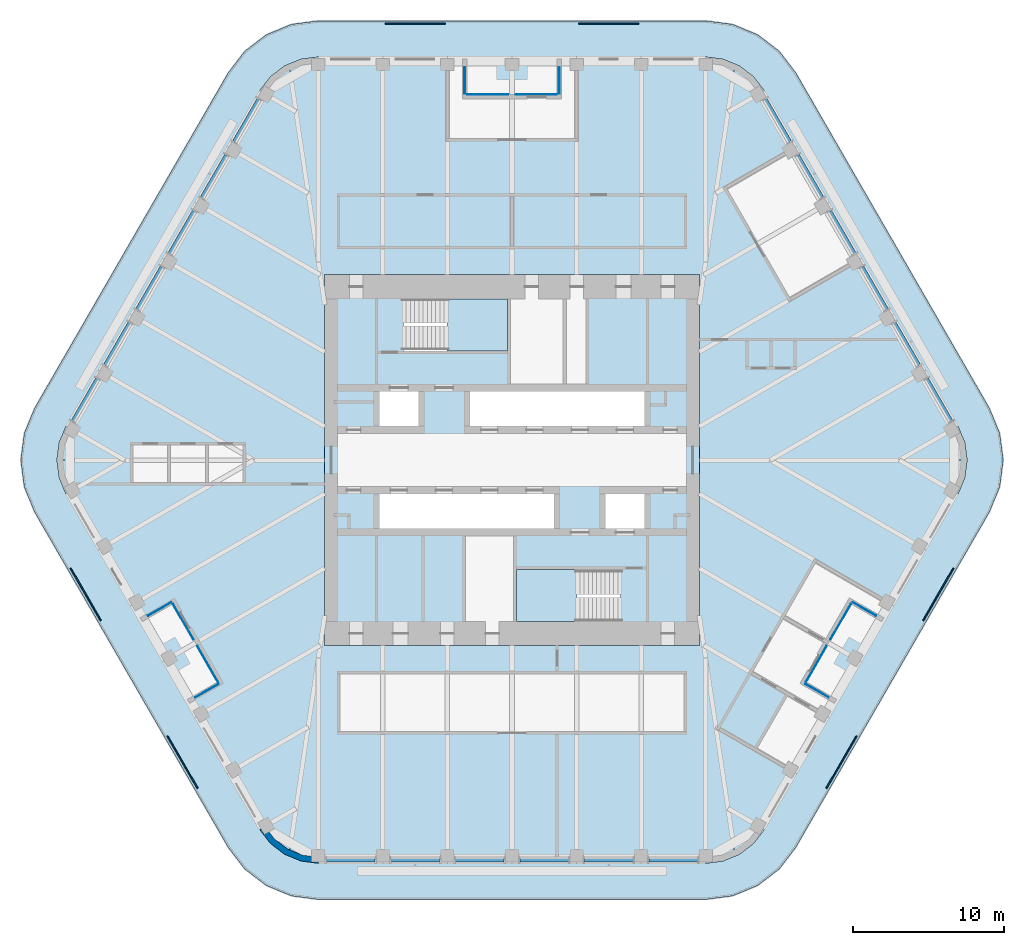
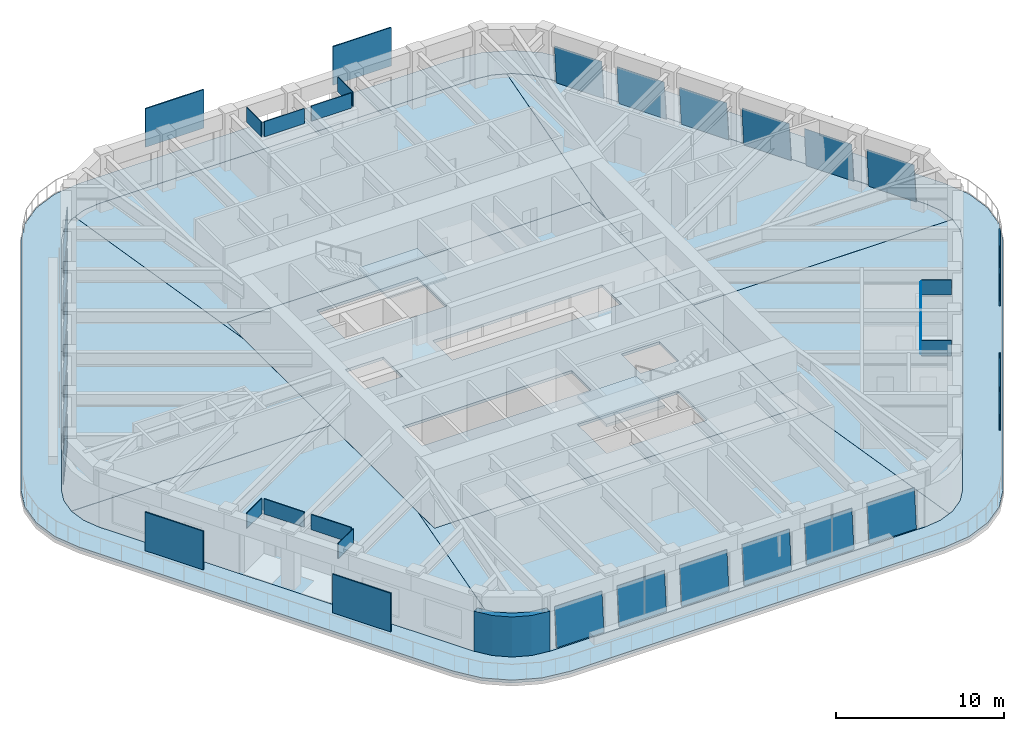
# One storey, part 12 of 19: 36 plates, 10 slabs, 1 wall, 20 elements without a shape of their own.
"""IFC4 building model written with IfcOpenShell, lengths in metres."""

from ifc_helpers import new_model, si_unit, direction, frame, origin, origin_2d, place, context, subcontext, project, spatial, polyline, rectangle, outline, extrude, material, layer, layer_set, type_object, element, aggregate, save


model = new_model("IFC4")

# Units and contexts
model_context = context("Model", 3, precision=1e-05, world=origin(), true_north=direction((0.0, 1.0)))
body_context = subcontext(model_context, "Body", "Model", "MODEL_VIEW")
ifc_project = project(units=[si_unit("LENGTHUNIT", "METRE"), si_unit("AREAUNIT", "SQUARE_METRE"), si_unit("VOLUMEUNIT", "CUBIC_METRE"), si_unit("PLANEANGLEUNIT", "RADIAN"), si_unit("MASSUNIT", "GRAM", prefix="KILO")], contexts=[model_context])

# Site, building, storey
site_placement = place(None, origin())
site = spatial("IfcSite", under=ifc_project, at=site_placement, CompositionType="ELEMENT")
building_placement = place(site_placement, origin())
building = spatial("IfcBuilding", under=site, at=building_placement, Name="Tarfa Lantern Tower", CompositionType="ELEMENT")
storey_placement = place(building_placement, frame((0.0, 0.0, 353.5)))
storey = spatial("IfcBuildingStorey", under=building, at=storey_placement, Name="L80", CompositionType="ELEMENT", Elevation=353.5)

# Slab
ifc_material_1 = material(Name="Concrete C40/50", Category="concrete")
ifc_layer_1 = layer(ifc_material_1, 0.199951171875)
ifc_layer_set_1 = layer_set([ifc_layer_1], Name="BS2 BALCONY SLAB 200")
slab_type_1 = type_object("IfcSlabType", Name="BS2 BALCONY SLAB 200", PredefinedType="FLOOR", material=ifc_layer_set_1)
slab_1_placement = place(storey_placement, frame((0.0, 0.0, -0.199951171875)))
element("IfcSlab", 1, at=slab_1_placement, inside=storey, type_object=slab_type_1, Name="Balcony L80", PredefinedType="FLOOR", context=body_context, shape_type="SweptSolid", body=[
    extrude(outline(polyline([(31.667724609375, 3.449951171875), (18.821533203125, 25.699951171875), (17.72509765625, 27.129150390625), (16.296142578125, 28.2255859375), (14.6318359375, 28.914794921875), (12.845947265625, 29.14990234375), (-12.845947265625, 29.14990234375), (-14.6318359375, 28.914794921875), (-16.296142578125, 28.2255859375), (-17.72509765625, 27.129150390625), (-18.821533203125, 25.699951171875), (-31.667724609375, 3.449951171875), (-32.35693359375, 1.785888671875), (-32.592041015625, 0.0), (-32.35693359375, -1.785888671875), (-31.667724609375, -3.449951171875), (-18.821533203125, -25.699951171875), (-17.72509765625, -27.129150390625), (-16.296142578125, -28.2255859375), (-14.6318359375, -28.914794921875), (-12.845947265625, -29.14990234375), (12.845947265625, -29.14990234375), (14.6318359375, -28.914794921875), (16.296142578125, -28.2255859375), (17.72509765625, -27.129150390625), (18.821533203125, -25.699951171875), (31.667724609375, -3.449951171875), (32.35693359375, -1.785888671875), (32.592041015625, 0.0), (32.35693359375, 1.785888671875), (31.667724609375, 3.449951171875)]), holes=[polyline([(29.589111328125, 2.25), (16.7431640625, 24.5), (16.028076171875, 25.431884765625), (15.095947265625, 26.147216796875), (14.0107421875, 26.5966796875), (12.845947265625, 26.75), (-12.845947265625, 26.75), (-14.0107421875, 26.5966796875), (-15.095947265625, 26.147216796875), (-16.028076171875, 25.431884765625), (-16.7431640625, 24.5), (-29.589111328125, 2.25), (-30.038818359375, 1.164794921875), (-30.192138671875, 0.0), (-30.038818359375, -1.164794921875), (-29.589111328125, -2.25), (-16.7431640625, -24.5), (-16.028076171875, -25.431884765625), (-15.095947265625, -26.147216796875), (-14.0107421875, -26.5966796875), (-12.845947265625, -26.75), (12.845947265625, -26.75), (14.0107421875, -26.5966796875), (15.095947265625, -26.147216796875), (16.028076171875, -25.431884765625), (16.7431640625, -24.5), (29.589111328125, -2.25), (30.038818359375, -1.164794921875), (30.192138671875, 0.0), (30.038818359375, 1.164794921875), (29.589111328125, 2.25)])]), origin(), (0.0, 0.0, 1.0), 0.199951171875),
])

# Curtain wall, plate
ifc_material_2 = material(Name="Aluminium framed curtain wall", Category="aluminium")
curtain_wall_type = type_object("IfcCurtainWallType", Name="CW4 CANTED GLAZING EXECUTIVE ZONE 2900", PredefinedType="USERDEFINED", material=ifc_material_2)
curtain_wall_1_placement = place(storey_placement, origin())
curtain_wall_1 = element("IfcCurtainWall", 2, at=curtain_wall_1_placement, inside=storey, type_object=curtain_wall_type, Name="CW4 NE L80", ObjectType="CURTAIN WALL", PredefinedType="USERDEFINED")
ifc_material_3 = material(Name="Laminated double glazing", Category="glass")
ifc_layer_2 = layer(ifc_material_3, 0.028076171875)
ifc_layer_set_2 = layer_set([ifc_layer_2], Name="CWP1 DOUBLE GLAZED PANEL")
plate_type_1 = type_object("IfcPlateType", Name="CWP1 DOUBLE GLAZED PANEL", PredefinedType="CURTAIN_PANEL", material=ifc_layer_set_2)
plate_1_placement = place(storey_placement, frame((29.2451171875, 2.64599609375, 0.0), z_axis=(0.862825639539, 0.498150817852, 0.085893413177), x_axis=(-0.499998527034, 0.866026254198, -1.606095e-06)))
plate_1 = element("IfcPlate", 3, at=plate_1_placement, type_object=plate_type_1, Name="CW4 panel 1.1", PredefinedType="CURTAIN_PANEL", context=body_context, shape_type="SweptSolid", body=[
    extrude(outline(polyline([(0.0, 0.0), (3.2520676412308207, 1.3877787807814457e-17), (3.251970209495446, 2.8454821182411227), (0.00011400045559208601, 2.845471633574548), (0.0, 0.0)])), origin(), (0.0, 0.0, -1.0), 0.028076171875),
])
aggregate(curtain_wall_1, [plate_1])

curtain_wall_2_placement = place(storey_placement, origin())
curtain_wall_2 = element("IfcCurtainWall", 4, at=curtain_wall_2_placement, inside=storey, type_object=curtain_wall_type, Name="CW4 NE L80", ObjectType="CURTAIN WALL", PredefinedType="USERDEFINED")
plate_2_placement = place(storey_placement, frame((27.10400390625, 6.354248046875, 0.0), z_axis=(0.862836578146, 0.498135541821, 0.085872122301), x_axis=(-0.499982393232, 0.866035568818, 0.0)))
plate_2 = element("IfcPlate", 5, at=plate_2_placement, type_object=plate_type_1, Name="CW4 panel 1.1", PredefinedType="CURTAIN_PANEL", context=body_context, shape_type="SweptSolid", body=[
    extrude(outline(polyline([(0.0, 0.0), (3.252067641799349, -1.3877787807814457e-17), (3.2521816433919786, 2.8454716342242685), (0.00011400159262917042, 2.8454716342242685), (0.0, 0.0)])), origin(), (0.0, 0.0, -1.0), 0.028076171875),
])
aggregate(curtain_wall_2, [plate_2])

curtain_wall_3_placement = place(storey_placement, origin())
curtain_wall_3 = element("IfcCurtainWall", 6, at=curtain_wall_3_placement, inside=storey, type_object=curtain_wall_type, Name="CW4 NE L80", ObjectType="CURTAIN WALL", PredefinedType="USERDEFINED")
plate_3_placement = place(storey_placement, frame((24.963134765625, 10.062744140625, 0.0), z_axis=(0.862825639539, 0.498150817852, 0.085893413177), x_axis=(-0.49999876687, 0.86602611573, 1.606199e-06)))
plate_3 = element("IfcPlate", 7, at=plate_3_placement, type_object=plate_type_1, Name="CW4 panel 1.1", PredefinedType="CURTAIN_PANEL", context=body_context, shape_type="SweptSolid", body=[
    extrude(outline(polyline([(0.0, 0.0), (3.2518562090567564, 1.3877787807814457e-17), (3.251979383909802, 2.8454716331921968), (-8.825730411465393e-05, 2.845482118540473), (0.0, 0.0)])), origin(), (0.0, 0.0, -1.0), 0.028076171875),
])
aggregate(curtain_wall_3, [plate_3])

curtain_wall_4_placement = place(storey_placement, origin())
curtain_wall_4 = element("IfcCurtainWall", 8, at=curtain_wall_4_placement, inside=storey, type_object=curtain_wall_type, Name="CW4 NE L80", ObjectType="CURTAIN WALL", PredefinedType="USERDEFINED")
plate_4_placement = place(storey_placement, frame((22.822021484375, 13.77099609375, 0.0), z_axis=(0.862825639539, 0.498150817852, 0.085893413177), x_axis=(-0.499998527034, 0.866026254198, -1.606095e-06)))
plate_4 = element("IfcPlate", 9, at=plate_4_placement, type_object=plate_type_1, Name="CW4 panel 1.1", PredefinedType="CURTAIN_PANEL", context=body_context, shape_type="SweptSolid", body=[
    extrude(outline(polyline([(0.0, 0.0), (3.2520676412308207, 1.3877787807814457e-17), (3.251970209495446, 2.8454821182411227), (0.00011400045559208601, 2.845471633574548), (0.0, 0.0)])), origin(), (0.0, 0.0, -1.0), 0.028076171875),
])
aggregate(curtain_wall_4, [plate_4])

curtain_wall_5_placement = place(storey_placement, origin())
curtain_wall_5 = element("IfcCurtainWall", 10, at=curtain_wall_5_placement, inside=storey, type_object=curtain_wall_type, Name="CW4 NE L80", ObjectType="CURTAIN WALL", PredefinedType="USERDEFINED")
plate_5_placement = place(storey_placement, frame((20.68115234375, 17.479248046875, 0.0), z_axis=(0.862836578146, 0.498135541821, 0.085872122301), x_axis=(-0.499982393232, 0.866035568818, 0.0)))
plate_5 = element("IfcPlate", 11, at=plate_5_placement, type_object=plate_type_1, Name="CW4 panel 1.1", PredefinedType="CURTAIN_PANEL", context=body_context, shape_type="SweptSolid", body=[
    extrude(outline(polyline([(0.0, 0.0), (3.252067641799349, -1.3877787807814457e-17), (3.2521816433919786, 2.8454716342242685), (0.00011400159262917042, 2.8454716342242685), (0.0, 0.0)])), origin(), (0.0, 0.0, -1.0), 0.028076171875),
])
aggregate(curtain_wall_5, [plate_5])

curtain_wall_6_placement = place(storey_placement, origin())
curtain_wall_6 = element("IfcCurtainWall", 12, at=curtain_wall_6_placement, inside=storey, type_object=curtain_wall_type, Name="CW4 NE L80", ObjectType="CURTAIN WALL", PredefinedType="USERDEFINED")
plate_6_placement = place(storey_placement, frame((18.5400390625, 21.187744140625, 0.0), z_axis=(0.862825639539, 0.498150817852, 0.085893413177), x_axis=(-0.49999876687, 0.86602611573, 1.606199e-06)))
plate_6 = element("IfcPlate", 13, at=plate_6_placement, type_object=plate_type_1, Name="CW4 panel 1.1", PredefinedType="CURTAIN_PANEL", context=body_context, shape_type="SweptSolid", body=[
    extrude(outline(polyline([(0.0, 0.0), (3.2518562090567564, 1.3877787807814457e-17), (3.251979383909802, 2.8454716331921968), (-8.825730411465393e-05, 2.845482118540473), (0.0, 0.0)])), origin(), (0.0, 0.0, -1.0), 0.028076171875),
])
aggregate(curtain_wall_6, [plate_6])

curtain_wall_7_placement = place(storey_placement, origin())
curtain_wall_7 = element("IfcCurtainWall", 14, at=curtain_wall_7_placement, inside=storey, type_object=curtain_wall_type, Name="CW4 NW L80", ObjectType="CURTAIN WALL", PredefinedType="USERDEFINED")
plate_7_placement = place(storey_placement, frame((-16.9140625, 24.00390625, 0.0), z_axis=(-0.862825639539, 0.498150817852, 0.085893413177), x_axis=(-0.49999876687, -0.86602611573, -1.606199e-06)))
plate_7 = element("IfcPlate", 15, at=plate_7_placement, type_object=plate_type_1, Name="CW4 panel 1.1", PredefinedType="CURTAIN_PANEL", context=body_context, shape_type="SweptSolid", body=[
    extrude(outline(polyline([(0.0, 0.0), (3.2518562090567564, -1.3877787807814457e-17), (3.251944466360871, 2.845482118540473), (-0.00012317485304587817, 2.8454716331921968), (0.0, 0.0)])), origin(), (0.0, 0.0, -1.0), 0.028076171875),
])
aggregate(curtain_wall_7, [plate_7])

curtain_wall_8_placement = place(storey_placement, origin())
curtain_wall_8 = element("IfcCurtainWall", 16, at=curtain_wall_8_placement, inside=storey, type_object=curtain_wall_type, Name="CW4 NW L80", ObjectType="CURTAIN WALL", PredefinedType="USERDEFINED")
plate_8_placement = place(storey_placement, frame((-19.05517578125, 20.295654296875, 0.0), z_axis=(-0.862836578146, 0.498135541821, 0.085872122301), x_axis=(-0.499982393232, -0.866035568818, 0.0)))
plate_8 = element("IfcPlate", 17, at=plate_8_placement, type_object=plate_type_1, Name="CW4 panel 1.1", PredefinedType="CURTAIN_PANEL", context=body_context, shape_type="SweptSolid", body=[
    extrude(outline(polyline([(0.0, 0.0), (3.252067641799349, 1.3877787807814457e-17), (3.25195364020672, 2.8454716342242685), (-0.00011400159262917042, 2.8454716342242685), (0.0, 0.0)])), origin(), (0.0, 0.0, -1.0), 0.028076171875),
])
aggregate(curtain_wall_8, [plate_8])

curtain_wall_9_placement = place(storey_placement, origin())
curtain_wall_9 = element("IfcCurtainWall", 18, at=curtain_wall_9_placement, inside=storey, type_object=curtain_wall_type, Name="CW4 NW L80", ObjectType="CURTAIN WALL", PredefinedType="USERDEFINED")
plate_9_placement = place(storey_placement, frame((-21.196044921875, 16.58740234375, 0.0), z_axis=(-0.862825639539, 0.498150817852, 0.085893413177), x_axis=(-0.499998527034, -0.866026254198, 1.606095e-06)))
plate_9 = element("IfcPlate", 19, at=plate_9_placement, type_object=plate_type_1, Name="CW4 panel 1.1", PredefinedType="CURTAIN_PANEL", context=body_context, shape_type="SweptSolid", body=[
    extrude(outline(polyline([(0.0, 0.0), (3.2520676412308207, -1.3877787807814457e-17), (3.2519536407752287, 2.845471633574548), (9.74317353742931e-05, 2.8454821182411227), (0.0, 0.0)])), origin(), (0.0, 0.0, -1.0), 0.028076171875),
])
aggregate(curtain_wall_9, [plate_9])

curtain_wall_10_placement = place(storey_placement, origin())
curtain_wall_10 = element("IfcCurtainWall", 20, at=curtain_wall_10_placement, inside=storey, type_object=curtain_wall_type, Name="CW4 NW L80", ObjectType="CURTAIN WALL", PredefinedType="USERDEFINED")
plate_10_placement = place(storey_placement, frame((-23.337158203125, 12.87890625, 0.0), z_axis=(-0.862825639539, 0.498150817852, 0.085893413177), x_axis=(-0.49999876687, -0.86602611573, -1.606199e-06)))
plate_10 = element("IfcPlate", 21, at=plate_10_placement, type_object=plate_type_1, Name="CW4 panel 1.1", PredefinedType="CURTAIN_PANEL", context=body_context, shape_type="SweptSolid", body=[
    extrude(outline(polyline([(0.0, 0.0), (3.2518562090567564, -1.3877787807814457e-17), (3.251944466360871, 2.845482118540473), (-0.00012317485304587817, 2.8454716331921968), (0.0, 0.0)])), origin(), (0.0, 0.0, -1.0), 0.028076171875),
])
aggregate(curtain_wall_10, [plate_10])

curtain_wall_11_placement = place(storey_placement, origin())
curtain_wall_11 = element("IfcCurtainWall", 22, at=curtain_wall_11_placement, inside=storey, type_object=curtain_wall_type, Name="CW4 NW L80", ObjectType="CURTAIN WALL", PredefinedType="USERDEFINED")
plate_11_placement = place(storey_placement, frame((-25.47802734375, 9.170654296875, 0.0), z_axis=(-0.862836578146, 0.498135541821, 0.085872122301), x_axis=(-0.499982393232, -0.866035568818, 0.0)))
plate_11 = element("IfcPlate", 23, at=plate_11_placement, type_object=plate_type_1, Name="CW4 panel 1.1", PredefinedType="CURTAIN_PANEL", context=body_context, shape_type="SweptSolid", body=[
    extrude(outline(polyline([(0.0, 0.0), (3.252067641799349, 1.3877787807814457e-17), (3.25195364020672, 2.8454716342242685), (-0.00011400159262917042, 2.8454716342242685), (0.0, 0.0)])), origin(), (0.0, 0.0, -1.0), 0.028076171875),
])
aggregate(curtain_wall_11, [plate_11])

curtain_wall_12_placement = place(storey_placement, origin())
curtain_wall_12 = element("IfcCurtainWall", 24, at=curtain_wall_12_placement, inside=storey, type_object=curtain_wall_type, Name="CW4 NW L80", ObjectType="CURTAIN WALL", PredefinedType="USERDEFINED")
plate_12_placement = place(storey_placement, frame((-27.619140625, 5.46240234375, 0.0), z_axis=(-0.862825639539, 0.498150817852, 0.085893413177), x_axis=(-0.499998527034, -0.866026254198, 1.606095e-06)))
plate_12 = element("IfcPlate", 25, at=plate_12_placement, type_object=plate_type_1, Name="CW4 panel 1.1", PredefinedType="CURTAIN_PANEL", context=body_context, shape_type="SweptSolid", body=[
    extrude(outline(polyline([(0.0, 0.0), (3.2520676412308207, -1.3877787807814457e-17), (3.2519536407752287, 2.845471633574548), (9.74317353742931e-05, 2.8454821182411227), (0.0, 0.0)])), origin(), (0.0, 0.0, -1.0), 0.028076171875),
])
aggregate(curtain_wall_12, [plate_12])

curtain_wall_13_placement = place(storey_placement, origin())
curtain_wall_13 = element("IfcCurtainWall", 26, at=curtain_wall_13_placement, inside=storey, type_object=curtain_wall_type, Name="CW4 S L80", ObjectType="CURTAIN WALL", PredefinedType="USERDEFINED")
plate_13_placement = place(storey_placement, frame((-12.3310546875, -26.64990234375, 0.0), z_axis=(0.0, -0.996305022141, 0.085885405371), x_axis=(1.0, 0.0, 0.0)))
plate_13 = element("IfcPlate", 27, at=plate_13_placement, type_object=plate_type_1, Name="CW4 panel 1.1", PredefinedType="CURTAIN_PANEL", context=body_context, shape_type="SweptSolid", body=[
    extrude(outline(polyline([(0.0, 0.0), (3.251953125, 0.0), (3.251953125, 2.8454749042682606), (0.0, 2.8454749042682606), (0.0, 0.0)])), origin(), (0.0, 0.0, -1.0), 0.028076171875),
])
aggregate(curtain_wall_13, [plate_13])

curtain_wall_14_placement = place(storey_placement, origin())
curtain_wall_14 = element("IfcCurtainWall", 28, at=curtain_wall_14_placement, inside=storey, type_object=curtain_wall_type, Name="CW4 S L80", ObjectType="CURTAIN WALL", PredefinedType="USERDEFINED")
plate_14_placement = place(storey_placement, frame((-8.049072265625, -26.64990234375, 0.0), z_axis=(0.0, -0.996305022141, 0.085885405371), x_axis=(1.0, 0.0, 0.0)))
plate_14 = element("IfcPlate", 29, at=plate_14_placement, type_object=plate_type_1, Name="CW4 panel 1.1", PredefinedType="CURTAIN_PANEL", context=body_context, shape_type="SweptSolid", body=[
    extrude(outline(polyline([(0.0, 0.0), (3.251953125, 0.0), (3.251953125, 2.8454749042682606), (0.0, 2.8454749042682606), (0.0, 0.0)])), origin(), (0.0, 0.0, -1.0), 0.028076171875),
])
aggregate(curtain_wall_14, [plate_14])

curtain_wall_15_placement = place(storey_placement, origin())
curtain_wall_15 = element("IfcCurtainWall", 30, at=curtain_wall_15_placement, inside=storey, type_object=curtain_wall_type, Name="CW4 S L80", ObjectType="CURTAIN WALL", PredefinedType="USERDEFINED")
plate_15_placement = place(storey_placement, frame((-3.76708984375, -26.64990234375, 0.0), z_axis=(0.0, -0.996305022141, 0.085885405371), x_axis=(1.0, 0.0, 0.0)))
plate_15 = element("IfcPlate", 31, at=plate_15_placement, type_object=plate_type_1, Name="CW4 panel 1.1", PredefinedType="CURTAIN_PANEL", context=body_context, shape_type="SweptSolid", body=[
    extrude(outline(polyline([(0.0, 0.0), (3.252197265625, 0.0), (3.252197265625, 2.8454749042682606), (0.0, 2.8454749042682606), (0.0, 0.0)])), origin(), (0.0, 0.0, -1.0), 0.028076171875),
])
aggregate(curtain_wall_15, [plate_15])

curtain_wall_16_placement = place(storey_placement, origin())
curtain_wall_16 = element("IfcCurtainWall", 32, at=curtain_wall_16_placement, inside=storey, type_object=curtain_wall_type, Name="CW4 S L80", ObjectType="CURTAIN WALL", PredefinedType="USERDEFINED")
plate_16_placement = place(storey_placement, frame((0.514892578125, -26.64990234375, 0.0), z_axis=(0.0, -0.996305022141, 0.085885405371), x_axis=(1.0, 0.0, 0.0)))
plate_16 = element("IfcPlate", 33, at=plate_16_placement, type_object=plate_type_1, Name="CW4 panel 1.1", PredefinedType="CURTAIN_PANEL", context=body_context, shape_type="SweptSolid", body=[
    extrude(outline(polyline([(0.0, 0.0), (3.252197265625, 0.0), (3.252197265625, 2.8454749042682606), (0.0, 2.8454749042682606), (0.0, 0.0)])), origin(), (0.0, 0.0, -1.0), 0.028076171875),
])
aggregate(curtain_wall_16, [plate_16])

curtain_wall_17_placement = place(storey_placement, origin())
curtain_wall_17 = element("IfcCurtainWall", 34, at=curtain_wall_17_placement, inside=storey, type_object=curtain_wall_type, Name="CW4 S L80", ObjectType="CURTAIN WALL", PredefinedType="USERDEFINED")
plate_17_placement = place(storey_placement, frame((4.797119140625, -26.64990234375, 0.0), z_axis=(0.0, -0.996305022141, 0.085885405371), x_axis=(1.0, 0.0, 0.0)))
plate_17 = element("IfcPlate", 35, at=plate_17_placement, type_object=plate_type_1, Name="CW4 panel 1.1", PredefinedType="CURTAIN_PANEL", context=body_context, shape_type="SweptSolid", body=[
    extrude(outline(polyline([(0.0, 0.0), (3.251953125, 0.0), (3.251953125, 2.8454749042682606), (0.0, 2.8454749042682606), (0.0, 0.0)])), origin(), (0.0, 0.0, -1.0), 0.028076171875),
])
aggregate(curtain_wall_17, [plate_17])

curtain_wall_18_placement = place(storey_placement, origin())
curtain_wall_18 = element("IfcCurtainWall", 36, at=curtain_wall_18_placement, inside=storey, type_object=curtain_wall_type, Name="CW4 S L80", ObjectType="CURTAIN WALL", PredefinedType="USERDEFINED")
plate_18_placement = place(storey_placement, frame((9.0791015625, -26.64990234375, 0.0), z_axis=(0.0, -0.996305022141, 0.085885405371), x_axis=(1.0, 0.0, 0.0)))
plate_18 = element("IfcPlate", 37, at=plate_18_placement, type_object=plate_type_1, Name="CW4 panel 1.1", PredefinedType="CURTAIN_PANEL", context=body_context, shape_type="SweptSolid", body=[
    extrude(outline(polyline([(0.0, 0.0), (3.251953125, 0.0), (3.251953125, 2.8454749042682606), (0.0, 2.8454749042682606), (0.0, 0.0)])), origin(), (0.0, 0.0, -1.0), 0.028076171875),
])
aggregate(curtain_wall_18, [plate_18])

# Slabs
ifc_layer_3 = layer(ifc_material_1, 0.199951171875)
ifc_layer_set_3 = layer_set([ifc_layer_3], Name="FS1 FLOOR SLAB 200")
slab_type_2 = type_object("IfcSlabType", Name="FS1 FLOOR SLAB 200", PredefinedType="FLOOR", material=ifc_layer_set_3)
slab_2_placement = place(storey_placement, frame((0.0, 0.0, -0.199951171875)))
element("IfcSlab", 38, at=slab_2_placement, inside=storey, type_object=slab_type_2, Name="Floor slab L80", PredefinedType="FLOOR", context=body_context, shape_type="SweptSolid", body=[
    extrude(outline(polyline([(-12.425048828125, -12.300048828125), (12.425048828125, -12.300048828125), (12.425048828125, 12.300048828125), (-12.425048828125, 12.300048828125), (-12.425048828125, -12.300048828125)]), holes=[polyline([(-8.800048828125, 2.25), (-6.199951171875, 2.25), (-6.199951171875, 4.550048828125), (-8.800048828125, 4.550048828125), (-8.800048828125, 2.25)]), polyline([(-2.800048828125, 2.25), (8.800048828125, 2.25), (8.800048828125, 4.550048828125), (-2.800048828125, 4.550048828125), (-2.800048828125, 2.25)]), polyline([(8.800048828125, -2.25), (6.199951171875, -2.25), (6.199951171875, -4.550048828125), (8.800048828125, -4.550048828125), (8.800048828125, -2.25)]), polyline([(2.800048828125, -2.25), (-8.800048828125, -2.25), (-8.800048828125, -4.550048828125), (2.800048828125, -4.550048828125), (2.800048828125, -2.25)]), polyline([(-7.199951171875, 7.25), (-0.300048828125, 7.25), (-0.300048828125, 10.699951171875), (-7.199951171875, 10.699951171875), (-7.199951171875, 7.25)]), polyline([(7.199951171875, -7.25), (0.300048828125, -7.25), (0.300048828125, -10.699951171875), (7.199951171875, -10.699951171875), (7.199951171875, -7.25)])]), origin(), (0.0, 0.0, 1.0), 0.199951171875),
])
slab_3_placement = place(storey_placement, frame((0.0, 0.0, -0.199951171875)))
element("IfcSlab", 39, at=slab_3_placement, inside=storey, type_object=slab_type_2, Name="Floor slab L80 NE bay", PredefinedType="FLOOR", context=body_context, shape_type="SweptSolid", body=[
    extrude(outline(polyline([(29.58740234375, 2.2490234375), (16.741455078125, 24.498779296875), (16.026611328125, 25.4306640625), (15.094970703125, 26.145263671875), (14.802001953125, 26.2666015625), (12.427001953125, 10.2998046875), (12.427001953125, 0.001953125), (30.189697265625, 0.001953125), (30.036865234375, 1.1640625), (29.58740234375, 2.2490234375)])), origin(), (0.0, 0.0, 1.0), 0.199951171875),
])
slab_4_placement = place(storey_placement, frame((0.0, 0.0, -0.199951171875)))
element("IfcSlab", 40, at=slab_4_placement, inside=storey, type_object=slab_type_2, Name="Floor slab L80 N bay", PredefinedType="FLOOR", context=body_context, shape_type="SweptSolid", body=[
    extrude(outline(polyline([(-12.427001953125, 10.3271484375), (-12.427001953125, 12.302001953125), (12.427001953125, 12.302001953125), (12.427001953125, 10.3271484375), (14.79833984375, 26.268310546875), (14.01025390625, 26.5947265625), (12.845947265625, 26.748046875), (-12.845947265625, 26.748046875), (-14.01025390625, 26.5947265625), (-14.79833984375, 26.268310546875), (-12.427001953125, 10.3271484375)])), origin(), (0.0, 0.0, 1.0), 0.199951171875),
])
slab_5_placement = place(storey_placement, frame((0.0, 0.0, -0.199951171875)))
element("IfcSlab", 41, at=slab_5_placement, inside=storey, type_object=slab_type_2, Name="Floor slab L80 NW bay", PredefinedType="FLOOR", context=body_context, shape_type="SweptSolid", body=[
    extrude(outline(polyline([(-12.427001953125, 0.001953125), (-12.427001953125, 10.2998046875), (-14.802001953125, 26.2666015625), (-15.094970703125, 26.145263671875), (-16.026611328125, 25.4306640625), (-16.741455078125, 24.498779296875), (-29.58740234375, 2.2490234375), (-30.036865234375, 1.1640625), (-30.189697265625, 0.001953125), (-12.427001953125, 0.001953125)])), origin(), (0.0, 0.0, 1.0), 0.199951171875),
])
slab_6_placement = place(storey_placement, frame((0.0, 0.0, -0.199951171875)))
element("IfcSlab", 42, at=slab_6_placement, inside=storey, type_object=slab_type_2, Name="Floor slab L80 SW bay", PredefinedType="FLOOR", context=body_context, shape_type="SweptSolid", body=[
    extrude(outline(polyline([(-12.427001953125, -10.2998046875), (-12.427001953125, -0.001953125), (-30.189697265625, -0.001953125), (-30.036865234375, -1.1640625), (-29.58740234375, -2.2490234375), (-16.741455078125, -24.498779296875), (-16.026611328125, -25.4306640625), (-15.094970703125, -26.145263671875), (-14.802001953125, -26.2666015625), (-12.427001953125, -10.2998046875)])), origin(), (0.0, 0.0, 1.0), 0.199951171875),
])
slab_7_placement = place(storey_placement, frame((0.0, 0.0, -0.199951171875)))
element("IfcSlab", 43, at=slab_7_placement, inside=storey, type_object=slab_type_2, Name="Floor slab L80 S bay", PredefinedType="FLOOR", context=body_context, shape_type="SweptSolid", body=[
    extrude(outline(polyline([(12.427001953125, -10.3271484375), (12.427001953125, -12.302001953125), (-12.427001953125, -12.302001953125), (-12.427001953125, -10.3271484375), (-14.79833984375, -26.268310546875), (-14.01025390625, -26.5947265625), (-12.845947265625, -26.748046875), (12.845947265625, -26.748046875), (14.01025390625, -26.5947265625), (14.79833984375, -26.268310546875), (12.427001953125, -10.3271484375)])), origin(), (0.0, 0.0, 1.0), 0.199951171875),
])
slab_8_placement = place(storey_placement, frame((0.0, 0.0, -0.199951171875)))
element("IfcSlab", 44, at=slab_8_placement, inside=storey, type_object=slab_type_2, Name="Floor slab L80 SE bay", PredefinedType="FLOOR", context=body_context, shape_type="SweptSolid", body=[
    extrude(outline(polyline([(12.427001953125, -0.001953125), (12.427001953125, -10.2998046875), (14.802001953125, -26.2666015625), (15.094970703125, -26.145263671875), (16.026611328125, -25.4306640625), (16.741455078125, -24.498779296875), (29.58740234375, -2.2490234375), (30.036865234375, -1.1640625), (30.189697265625, -0.001953125), (12.427001953125, -0.001953125)])), origin(), (0.0, 0.0, 1.0), 0.199951171875),
])

# Plates
ifc_material_4 = material(Name="Aluminium fascia panel", Category="aluminium")
ifc_layer_4 = layer(ifc_material_4, 0.050048828125)
ifc_layer_set_4 = layer_set([ifc_layer_4], Name="LF1 LOGGIA HEAD FASCIA 50")
plate_type_2 = type_object("IfcPlateType", Name="LF1 LOGGIA HEAD FASCIA 50", PredefinedType="USERDEFINED", material=ifc_layer_set_4)
for number, where, z_axis, x_axis, name in (
    (45, (1.615966796875, 24.25, 2.89990234375), (0.0, 0.0, 1.0), (-1.0, 0.0, 0.0), "Terrace head fascia N"),
    (46, (-1.615966796875, 24.25, 2.89990234375), (0.0, 0.0, 1.0), (-1.0, 0.0, 0.0), "Terrace head fascia N"),
):
    element("IfcPlate", number, at=place(storey_placement, frame(where, z_axis=z_axis, x_axis=x_axis)), inside=storey, type_object=plate_type_2, Name=name, ObjectType="FASCIA", PredefinedType="USERDEFINED", context=body_context, shape_type="SweptSolid", body=[
        extrude(rectangle(XDim=2.73193359375, YDim=0.050048828125, at=origin_2d()), origin(), (0.0, 0.0, 1.0), 1.10009765625),
    ])
for number, where, z_axis, x_axis, name in (
    (47, (3.132080078125, 25.18505859375, 2.89990234375), (0.0, 0.0, 1.0), (0.0, -1.0, 0.0), "Terrace head fascia N"),
    (48, (-3.132080078125, 25.18505859375, 2.89990234375), (0.0, 0.0, 1.0), (0.0, -1.0, 0.0), "Terrace head fascia N"),
):
    element("IfcPlate", number, at=place(storey_placement, frame(where, z_axis=z_axis, x_axis=x_axis)), inside=storey, type_object=plate_type_2, Name=name, ObjectType="FASCIA", PredefinedType="USERDEFINED", context=body_context, shape_type="SweptSolid", body=[
        extrude(rectangle(XDim=1.77001953125, YDim=0.050048828125, at=origin_2d()), origin(), (0.0, 0.0, 1.0), 1.10009765625),
    ])
for number, where, z_axis, x_axis, name in (
    (49, (-21.80908203125, -10.7255859375, 2.89990234375), (0.0, 0.0, 1.0), (0.5, -0.866025403784, 0.0), "Terrace head fascia SW"),
    (50, (-20.193115234375, -13.5244140625, 2.89990234375), (0.0, 0.0, 1.0), (0.5, -0.866025403784, 0.0), "Terrace head fascia SW"),
):
    element("IfcPlate", number, at=place(storey_placement, frame(where, z_axis=z_axis, x_axis=x_axis)), inside=storey, type_object=plate_type_2, Name=name, ObjectType="FASCIA", PredefinedType="USERDEFINED", context=body_context, shape_type="SweptSolid", body=[
        extrude(rectangle(XDim=2.73193359375, YDim=0.050048828125, at=origin_2d()), origin(), (0.0, 0.0, 1.0), 1.10009765625),
    ])
for number, where, z_axis, x_axis, name in (
    (51, (-23.376953125, -9.880126953125, 2.89990234375), (0.0, 0.0, 1.0), (0.866025403784, 0.5, 0.0), "Terrace head fascia SW"),
    (52, (-20.244873046875, -15.304931640625, 2.89990234375), (0.0, 0.0, 1.0), (0.866025403784, 0.5, 0.0), "Terrace head fascia SW"),
):
    element("IfcPlate", number, at=place(storey_placement, frame(where, z_axis=z_axis, x_axis=x_axis)), inside=storey, type_object=plate_type_2, Name=name, ObjectType="FASCIA", PredefinedType="USERDEFINED", context=body_context, shape_type="SweptSolid", body=[
        extrude(rectangle(XDim=1.77001953125, YDim=0.050048828125, at=origin_2d()), origin(), (0.0, 0.0, 1.0), 1.10009765625),
    ])
for number, where, z_axis, x_axis, name in (
    (53, (20.193115234375, -13.5244140625, 2.89990234375), (0.0, 0.0, 1.0), (0.5, 0.866025403784, 0.0), "Terrace head fascia SE"),
    (54, (21.80908203125, -10.7255859375, 2.89990234375), (0.0, 0.0, 1.0), (0.5, 0.866025403784, 0.0), "Terrace head fascia SE"),
):
    element("IfcPlate", number, at=place(storey_placement, frame(where, z_axis=z_axis, x_axis=x_axis)), inside=storey, type_object=plate_type_2, Name=name, ObjectType="FASCIA", PredefinedType="USERDEFINED", context=body_context, shape_type="SweptSolid", body=[
        extrude(rectangle(XDim=2.73193359375, YDim=0.050048828125, at=origin_2d()), origin(), (0.0, 0.0, 1.0), 1.10009765625),
    ])
for number, where, z_axis, x_axis, name in (
    (55, (20.244873046875, -15.304931640625, 2.89990234375), (0.0, 0.0, 1.0), (-0.866025403784, 0.5, 0.0), "Terrace head fascia SE"),
    (56, (23.376953125, -9.880126953125, 2.89990234375), (0.0, 0.0, 1.0), (-0.866025403784, 0.5, 0.0), "Terrace head fascia SE"),
):
    element("IfcPlate", number, at=place(storey_placement, frame(where, z_axis=z_axis, x_axis=x_axis)), inside=storey, type_object=plate_type_2, Name=name, ObjectType="FASCIA", PredefinedType="USERDEFINED", context=body_context, shape_type="SweptSolid", body=[
        extrude(rectangle(XDim=1.77001953125, YDim=0.050048828125, at=origin_2d()), origin(), (0.0, 0.0, 1.0), 1.10009765625),
    ])
ifc_material_5 = material(Name="Perforated limestone screen", Category="masonry")
ifc_layer_5 = layer(ifc_material_5, 0.080078125)
ifc_layer_set_5 = layer_set([ifc_layer_5], Name="SC1 STONE SCREEN 80")
plate_type_3 = type_object("IfcPlateType", Name="SC1 STONE SCREEN 80", PredefinedType="USERDEFINED", material=ifc_layer_set_5)
for number, where, z_axis, x_axis, name in (
    (57, (6.423095703125, 28.949951171875, 1.2001953125), (0.0, 0.0, 1.0), (-1.0, 0.0, 0.0), "Stone screen N 1"),
    (58, (-6.423095703125, 28.949951171875, 1.2001953125), (0.0, 0.0, 1.0), (-1.0, 0.0, 0.0), "Stone screen N 2"),
    (59, (-28.282958984375, -8.91259765625, 1.2001953125), (0.0, 0.0, 1.0), (0.5, -0.866025403784, 0.0), "Stone screen SW 1"),
    (60, (-21.85986328125, -20.03759765625, 1.2001953125), (0.0, 0.0, 1.0), (0.5, -0.866025403784, 0.0), "Stone screen SW 2"),
    (61, (21.85986328125, -20.03759765625, 1.2001953125), (0.0, 0.0, 1.0), (0.5, 0.866025403784, 0.0), "Stone screen SE 1"),
    (62, (28.282958984375, -8.91259765625, 1.2001953125), (0.0, 0.0, 1.0), (0.5, 0.866025403784, 0.0), "Stone screen SE 2"),
):
    element("IfcPlate", number, at=place(storey_placement, frame(where, z_axis=z_axis, x_axis=x_axis)), inside=storey, type_object=plate_type_3, Name=name, ObjectType="SCREEN", PredefinedType="USERDEFINED", context=body_context, shape_type="SweptSolid", body=[
        extrude(rectangle(XDim=4.0, YDim=0.080078125, at=origin_2d()), origin(), (0.0, 0.0, 1.0), 2.800048828125),
    ])

# Stair, slab
stair_type = type_object("IfcStairType", Name="ST-T10 HALF-TURN STAIR 4200 RISE", PredefinedType="HALF_TURN_STAIR", material=ifc_material_1)
stair_1_placement = place(storey_placement, origin())
stair_1 = element("IfcStair", 63, at=stair_1_placement, inside=storey, type_object=stair_type, Name="Stair ST1", PredefinedType="HALF_TURN_STAIR")
ifc_layer_6 = layer(ifc_material_1, 0.199951171875)
ifc_layer_set_6 = layer_set([ifc_layer_6], Name="SL1 STAIR LANDING 200")
slab_type_3 = type_object("IfcSlabType", Name="SL1 STAIR LANDING 200", PredefinedType="LANDING", material=ifc_layer_set_6)
slab_9_placement = place(storey_placement, frame((0.0, 0.0, 1.89990234375)))
slab_9 = element("IfcSlab", 64, at=slab_9_placement, type_object=slab_type_3, Name="ST1 landing 1", PredefinedType="LANDING", context=body_context, shape_type="SweptSolid", body=[
    extrude(outline(polyline([(-4.320068359375, 7.25), (-0.300048828125, 7.25), (-0.300048828125, 10.699951171875), (-4.320068359375, 10.699951171875), (-4.320068359375, 7.25)])), origin(), (0.0, 0.0, 1.0), 0.2001953125),
])
aggregate(stair_1, [slab_9])

stair_2_placement = place(storey_placement, origin())
stair_2 = element("IfcStair", 65, at=stair_2_placement, inside=storey, type_object=stair_type, Name="Stair ST2", PredefinedType="HALF_TURN_STAIR")
slab_10_placement = place(storey_placement, frame((0.0, 0.0, 1.89990234375)))
slab_10 = element("IfcSlab", 66, at=slab_10_placement, type_object=slab_type_3, Name="ST2 landing 1", PredefinedType="LANDING", context=body_context, shape_type="SweptSolid", body=[
    extrude(outline(polyline([(4.320068359375, -7.25), (0.300048828125, -7.25), (0.300048828125, -10.699951171875), (4.320068359375, -10.699951171875), (4.320068359375, -7.25)])), origin(), (0.0, 0.0, 1.0), 0.2001953125),
])
aggregate(stair_2, [slab_10])

# Wall
ifc_material_6 = material(Name="Limestone cladding on blockwork", Category="masonry")
ifc_layer_7 = layer(ifc_material_6, 0.39990234375)
ifc_layer_set_7 = layer_set([ifc_layer_7], Name="EW2 CURVED STONE CORNER 400")
wall_type = type_object("IfcWallType", Name="EW2 CURVED STONE CORNER 400", PredefinedType="SOLIDWALL", material=ifc_layer_set_7)
wall_placement = place(storey_placement, origin())
element("IfcWall", 67, at=wall_placement, inside=storey, type_object=wall_type, Name="Stone corner SW-S", PredefinedType="SOLIDWALL", context=body_context, shape_type="SweptSolid", body=[
    extrude(outline(polyline([(-16.7431640625, -24.5), (-16.028076171875, -25.431884765625), (-15.095947265625, -26.147216796875), (-14.0107421875, -26.5966796875), (-12.845947265625, -26.75), (-12.845947265625, -26.35009765625), (-13.9072265625, -26.210205078125), (-14.89599609375, -25.80078125), (-15.7451171875, -25.149169921875), (-16.396728515625, -24.300048828125), (-16.7431640625, -24.5)])), origin(), (0.0, 0.0, 1.0), 2.89990234375),
])

save(model, "model.ifc")
